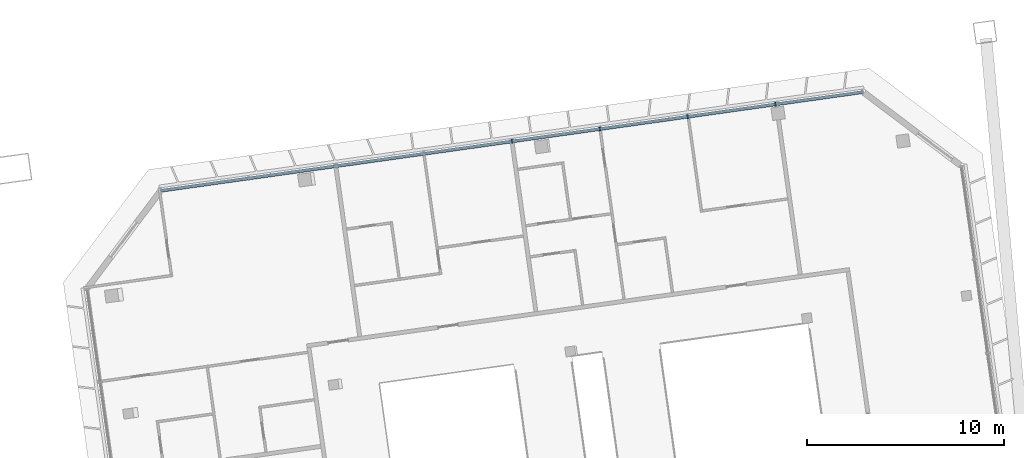
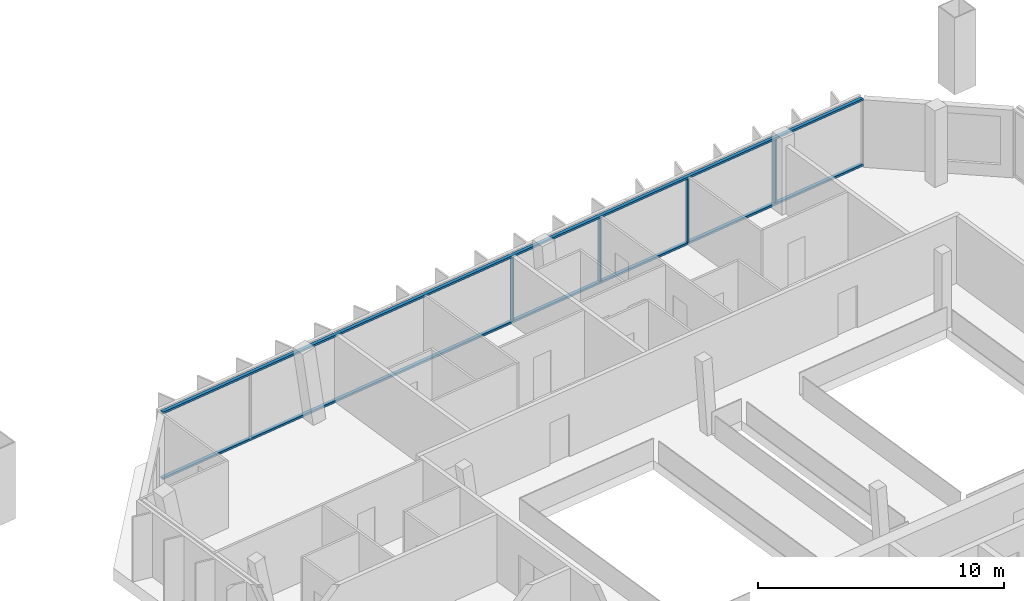
# One storey, part 7 of 19: 6 members, 1 element without a shape of its own.
"""IFC4 building model written with IfcOpenShell, lengths in metres."""

from ifc_helpers import new_model, si_unit, direction, frame, origin, origin_2d, place, context, subcontext, project, spatial, rectangle, extrude, material, material_profile, profile_set, type_object, element, aggregate, save


model = new_model("IFC4")

# Units and contexts
model_context = context("Model", 3, precision=1e-05, world=origin(), true_north=direction((0.0, 1.0)))
body_context = subcontext(model_context, "Body", "Model", "MODEL_VIEW")
ifc_project = project(units=[si_unit("LENGTHUNIT", "METRE"), si_unit("AREAUNIT", "SQUARE_METRE"), si_unit("VOLUMEUNIT", "CUBIC_METRE"), si_unit("PLANEANGLEUNIT", "RADIAN"), si_unit("MASSUNIT", "GRAM", prefix="KILO")], contexts=[model_context])

# Site, building, storey
site_placement = place(None, origin())
site = spatial("IfcSite", under=ifc_project, at=site_placement, CompositionType="ELEMENT")
building_placement = place(site_placement, origin())
building = spatial("IfcBuilding", under=site, at=building_placement, Name="Mirante Cascada Hotel Towers", CompositionType="ELEMENT")
storey_placement = place(building_placement, frame((0.0, 0.0, 239.4)))
storey = spatial("IfcBuildingStorey", under=building, at=storey_placement, Name="L57", CompositionType="ELEMENT", Elevation=239.4)

# Curtain wall, members
ifc_material_1 = material(Name="Aluminium mullion and transom frame with clear laminated glass", Category="aluminium")
curtain_wall_type = type_object("IfcCurtainWallType", Name="Ribbon curtain wall ECW1", PredefinedType="NOTDEFINED", material=ifc_material_1)
curtain_wall_placement = place(storey_placement, origin())
curtain_wall = element("IfcCurtainWall", 1, at=curtain_wall_placement, inside=storey, type_object=curtain_wall_type, Name="Front ribbon wall T2 L57", PredefinedType="NOTDEFINED")
ifc_material_2 = material(Name="Anodised aluminium extrusion", Category="aluminium")
ifc_material_profile_1 = material_profile(ifc_material_2, rectangle(XDim=0.2, YDim=0.065, at=origin_2d()), Name="ECW1 MULLION 65x200")
ifc_profile_set_1 = profile_set([ifc_material_profile_1], Name="Anodised aluminium extrusion")
member_type_1 = type_object("IfcMemberType", Name="ECW1 mullion 65x200", PredefinedType="MULLION", material=ifc_profile_set_1)
member_1_placement = place(storey_placement, frame((54.041, 20.414, 0.1), z_axis=(0.0, 0.0, 1.0), x_axis=(0.1391731, -0.9902681, 0.0)))
member_1 = element("IfcMember", 2, at=member_1_placement, type_object=member_type_1, Name="ECW1 mullion 2", PredefinedType="MULLION", context=body_context, shape_type="SweptSolid", body=[
    extrude(rectangle(XDim=0.2, YDim=0.065, at=origin_2d()), origin(), (0.0, 0.0, 1.0), 3.15),
])
member_2_placement = place(storey_placement, frame((49.5736, 19.7861, 0.1), z_axis=(0.0, 0.0, 1.0), x_axis=(0.1391731, -0.9902681, 0.0)))
member_2 = element("IfcMember", 3, at=member_2_placement, type_object=member_type_1, Name="ECW1 mullion 3", PredefinedType="MULLION", context=body_context, shape_type="SweptSolid", body=[
    extrude(rectangle(XDim=0.2, YDim=0.065, at=origin_2d()), origin(), (0.0, 0.0, 1.0), 3.15),
])
member_3_placement = place(storey_placement, frame((45.1061, 19.1583, 0.1), z_axis=(0.0, 0.0, 1.0), x_axis=(0.1391731, -0.9902681, 0.0)))
member_3 = element("IfcMember", 4, at=member_3_placement, type_object=member_type_1, Name="ECW1 mullion 4", PredefinedType="MULLION", context=body_context, shape_type="SweptSolid", body=[
    extrude(rectangle(XDim=0.2, YDim=0.065, at=origin_2d()), origin(), (0.0, 0.0, 1.0), 3.15),
])
member_4_placement = place(storey_placement, frame((40.6386, 18.5304, 0.1), z_axis=(0.0, 0.0, 1.0), x_axis=(0.1391731, -0.9902681, 0.0)))
member_4 = element("IfcMember", 5, at=member_4_placement, type_object=member_type_1, Name="ECW1 mullion 5", PredefinedType="MULLION", context=body_context, shape_type="SweptSolid", body=[
    extrude(rectangle(XDim=0.2, YDim=0.065, at=origin_2d()), origin(), (0.0, 0.0, 1.0), 3.15),
])
ifc_material_3 = material(Name="Anodised aluminium extrusion", Category="aluminium")
ifc_material_profile_2 = material_profile(ifc_material_3, rectangle(XDim=0.16, YDim=0.1, at=origin_2d()), Name="ECW1 TRANSOM 100x160")
ifc_profile_set_2 = profile_set([ifc_material_profile_2], Name="Anodised aluminium extrusion")
member_type_2 = type_object("IfcMemberType", Name="ECW1 transom 100x160", PredefinedType="USERDEFINED", material=ifc_profile_set_2)
member_5_placement = place(storey_placement, frame((58.5085, 21.0419, 0.05), z_axis=(-0.990268, -0.1391734, 0.0), x_axis=(0.1391734, -0.990268, 0.0)))
member_5 = element("IfcMember", 6, at=member_5_placement, type_object=member_type_2, Name="ECW1 sill transom", ObjectType="TRANSOM", PredefinedType="USERDEFINED", context=body_context, shape_type="SweptSolid", body=[
    extrude(rectangle(XDim=0.16, YDim=0.1, at=origin_2d()), origin(), (0.0, 0.0, 1.0), 36.0909),
])
member_6_placement = place(storey_placement, frame((58.5085, 21.0419, 3.3), z_axis=(-0.990268, -0.1391734, 0.0), x_axis=(0.1391734, -0.990268, 0.0)))
member_6 = element("IfcMember", 7, at=member_6_placement, type_object=member_type_2, Name="ECW1 head transom", ObjectType="TRANSOM", PredefinedType="USERDEFINED", context=body_context, shape_type="SweptSolid", body=[
    extrude(rectangle(XDim=0.16, YDim=0.1, at=origin_2d()), origin(), (0.0, 0.0, 1.0), 36.0909),
])
aggregate(curtain_wall, [member_5, member_6, member_1, member_2, member_3, member_4])

save(model, "model.ifc")
